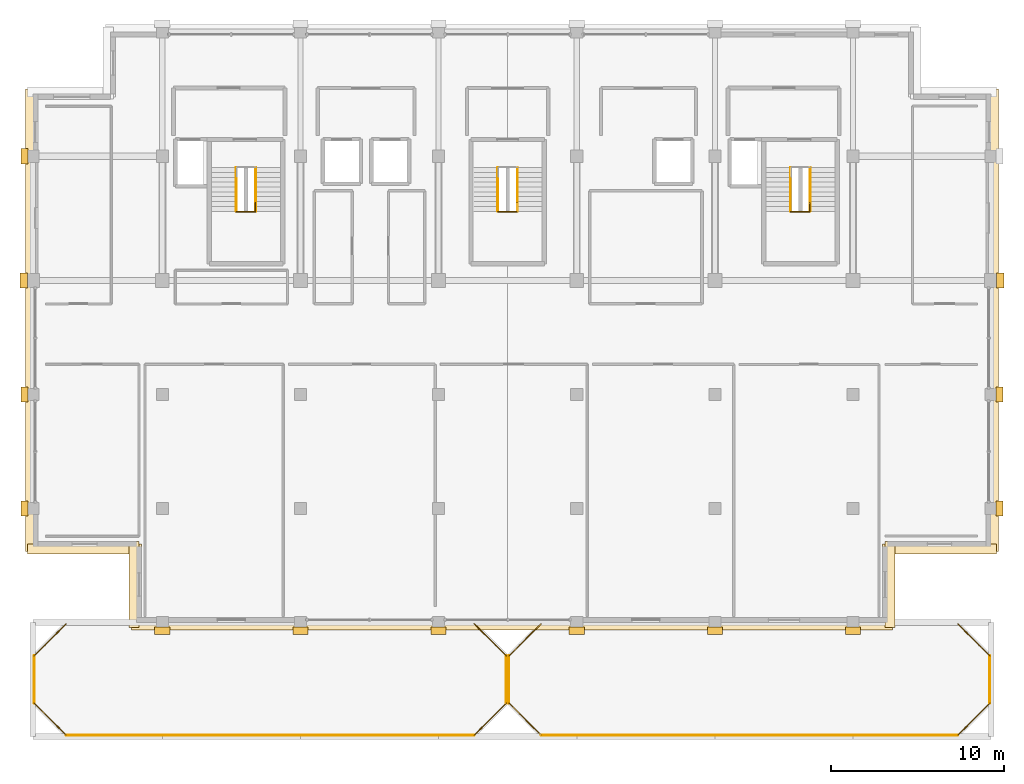
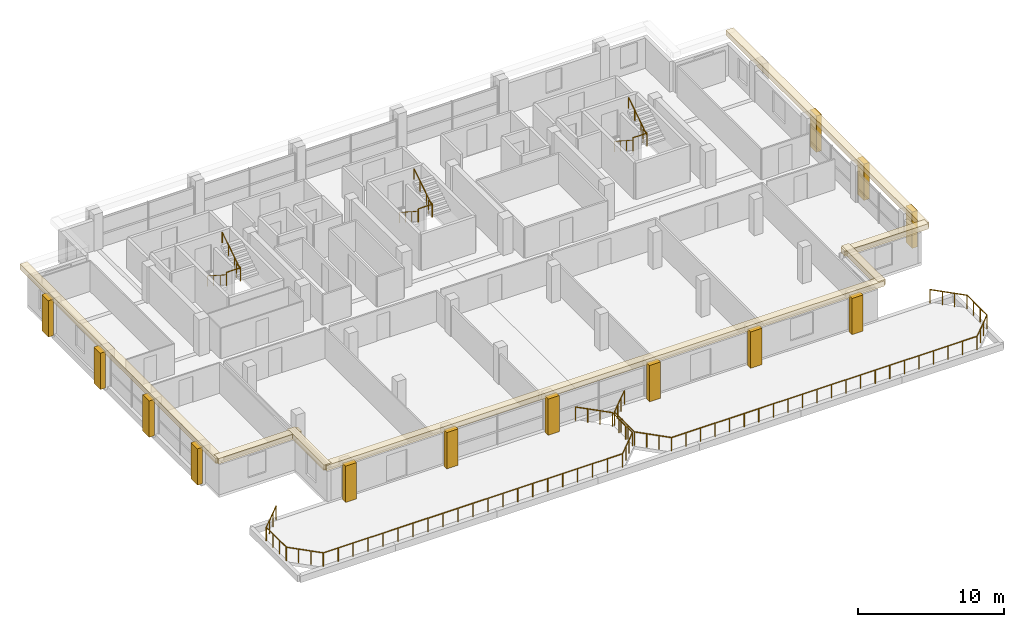
# One storey, part 20 of 21: 23 railings, 20 coverings.
"""IFC4 building model written with IfcOpenShell, lengths in metres."""

from ifc_helpers import new_model, si_unit, direction, frame, origin, origin_2d, place, context, subcontext, project, spatial, rectangle, circle, extrude, material, layer, layer_set, type_object, element, save


model = new_model("IFC4")

# Units and contexts
model_context = context("Model", 3, precision=1e-05, world=origin(), true_north=direction((0.0, 1.0)))
body_context = subcontext(model_context, "Body", "Model", "MODEL_VIEW")
ifc_project = project(units=[si_unit("LENGTHUNIT", "METRE"), si_unit("AREAUNIT", "SQUARE_METRE"), si_unit("VOLUMEUNIT", "CUBIC_METRE"), si_unit("PLANEANGLEUNIT", "RADIAN"), si_unit("MASSUNIT", "GRAM", prefix="KILO")], contexts=[model_context])

# Site, building, storey
site_placement = place(None, origin())
site = spatial("IfcSite", under=ifc_project, at=site_placement, CompositionType="ELEMENT")
building_placement = place(site_placement, origin())
building = spatial("IfcBuilding", under=site, at=building_placement, Name="Akrevak Sports Hall", CompositionType="ELEMENT")
storey_placement = place(building_placement, frame((0.0, 0.0, 53.550048828125)))
storey = spatial("IfcBuildingStorey", under=building, at=storey_placement, Name="L13", CompositionType="ELEMENT", Elevation=53.550048828125)

# Coverings
ifc_material_1 = material(Name="Limestone Ashlar", Category="stone")
ifc_layer_1 = layer(ifc_material_1, 0.6201171875, Name="Limestone Ashlar")
ifc_layer_set_1 = layer_set([ifc_layer_1], Name="Limestone Ashlar")
covering_type_1 = type_object("IfcCoveringType", Name="ARC-COV-CRN-LIM", PredefinedType="MOLDING", material=ifc_layer_set_1)
covering_1_placement = place(storey_placement, frame((80.25, 35.27001953125, 2.949951171875), z_axis=(0.0, 0.0, 1.0), x_axis=(1.0, 0.0, 0.0)))
element("IfcCovering", 1, at=covering_1_placement, inside=storey, type_object=covering_type_1, Name="Upper Tower Setback Stone Cornice L13-SET-01", PredefinedType="MOLDING", context=body_context, shape_type="SweptSolid", body=[
    extrude(rectangle(XDim=44.087890625, YDim=0.580078125, at=origin_2d()), origin(), (0.0, 0.0, 1.0), 0.43994140625),
])
covering_2_placement = place(storey_placement, frame((102.1298828125, 37.60009765625, 2.949951171875), z_axis=(0.0, 0.0, 1.0), x_axis=(0.0, 1.0, 0.0)))
element("IfcCovering", 2, at=covering_2_placement, inside=storey, type_object=covering_type_1, Name="Upper Tower Setback Stone Cornice L13-SET-02", PredefinedType="MOLDING", context=body_context, shape_type="SweptSolid", body=[
    extrude(rectangle(XDim=4.988037109375, YDim=0.580078125, at=origin_2d()), origin(), (0.0, 0.0, 1.0), 0.43994140625),
])
covering_3_placement = place(storey_placement, frame((105.0, 39.669921875, 2.949951171875), z_axis=(0.0, 0.0, 1.0), x_axis=(1.0, 0.0, 0.0)))
element("IfcCovering", 3, at=covering_3_placement, inside=storey, type_object=covering_type_1, Name="Upper Tower Setback Stone Cornice L13-SET-03", PredefinedType="MOLDING", context=body_context, shape_type="SweptSolid", body=[
    extrude(rectangle(XDim=6.587890625, YDim=0.580078125, at=origin_2d()), origin(), (0.0, 0.0, 1.0), 0.43994140625),
])
for number, where, z_axis, x_axis, name in (
    (4, (108.1298828125, 52.89990234375, 2.949951171875), (0.0, 0.0, 1.0), (0.0, 1.0, 0.0), "Upper Tower Setback Stone Cornice L13-SET-04"),
    (5, (52.3701171875, 52.89990234375, 2.949951171875), (0.0, 0.0, 1.0), (0.0, -1.0, 0.0), "Upper Tower Setback Stone Cornice L13-SET-10"),
):
    element("IfcCovering", number, at=place(storey_placement, frame(where, z_axis=z_axis, x_axis=x_axis)), inside=storey, type_object=covering_type_1, Name=name, PredefinedType="MOLDING", context=body_context, shape_type="SweptSolid", body=[
        extrude(rectangle(XDim=26.7880859375, YDim=0.580078125, at=origin_2d()), origin(), (0.0, 0.0, 1.0), 0.43994140625),
    ])
covering_4_placement = place(storey_placement, frame((55.5, 39.669921875, 2.949951171875), z_axis=(0.0, 0.0, 1.0), x_axis=(1.0, 0.0, 0.0)))
element("IfcCovering", 6, at=covering_4_placement, inside=storey, type_object=covering_type_1, Name="Upper Tower Setback Stone Cornice L13-SET-11", PredefinedType="MOLDING", context=body_context, shape_type="SweptSolid", body=[
    extrude(rectangle(XDim=6.587890625, YDim=0.580078125, at=origin_2d()), origin(), (0.0, 0.0, 1.0), 0.43994140625),
])
covering_5_placement = place(storey_placement, frame((58.3701171875, 37.60009765625, 2.949951171875), z_axis=(0.0, 0.0, 1.0), x_axis=(0.0, -1.0, 0.0)))
element("IfcCovering", 7, at=covering_5_placement, inside=storey, type_object=covering_type_1, Name="Upper Tower Setback Stone Cornice L13-SET-12", PredefinedType="MOLDING", context=body_context, shape_type="SweptSolid", body=[
    extrude(rectangle(XDim=4.988037109375, YDim=0.580078125, at=origin_2d()), origin(), (0.0, 0.0, 1.0), 0.43994140625),
])
ifc_layer_2 = layer(ifc_material_1, 0.47998046875, Name="Limestone Ashlar")
ifc_layer_set_2 = layer_set([ifc_layer_2], Name="Limestone Ashlar")
covering_type_2 = type_object("IfcCoveringType", Name="ARC-COV-PIL-LIM", PredefinedType="CLADDING", material=ifc_layer_set_2)
for number, where, z_axis, x_axis, name in (
    (8, (60.0, 34.919921875, 0.0), (0.0, 0.0, 1.0), (1.0, 0.0, 0.0), "Giant-Order Limestone Pilaster L13-01-01"),
    (9, (68.0, 34.919921875, 0.0), (0.0, 0.0, 1.0), (1.0, 0.0, 0.0), "Giant-Order Limestone Pilaster L13-01-02"),
    (10, (76.0, 34.919921875, 0.0), (0.0, 0.0, 1.0), (1.0, 0.0, 0.0), "Giant-Order Limestone Pilaster L13-01-03"),
    (11, (84.0, 34.919921875, 0.0), (0.0, 0.0, 1.0), (1.0, 0.0, 0.0), "Giant-Order Limestone Pilaster L13-01-04"),
    (12, (92.0, 34.919921875, 0.0), (0.0, 0.0, 1.0), (1.0, 0.0, 0.0), "Giant-Order Limestone Pilaster L13-01-05"),
    (13, (100.0, 34.919921875, 0.0), (0.0, 0.0, 1.0), (1.0, 0.0, 0.0), "Giant-Order Limestone Pilaster L13-01-06"),
    (14, (108.47998046875, 42.0, 0.0), (0.0, 0.0, 1.0), (0.0, 1.0, 0.0), "Giant-Order Limestone Pilaster L13-04-07"),
    (15, (108.47998046875, 48.60009765625, 0.0), (0.0, 0.0, 1.0), (0.0, 1.0, 0.0), "Giant-Order Limestone Pilaster L13-04-08"),
    (16, (108.530029296875, 55.199951171875, 0.0), (0.0, 0.0, 1.0), (0.0, 1.0, 0.0), "Giant-Order Limestone Pilaster L13-04-09"),
    (17, (52.02001953125, 42.0, 0.0), (0.0, 0.0, 1.0), (0.0, -1.0, 0.0), "Giant-Order Limestone Pilaster L13-10-17"),
    (18, (52.02001953125, 48.60009765625, 0.0), (0.0, 0.0, 1.0), (0.0, -1.0, 0.0), "Giant-Order Limestone Pilaster L13-10-18"),
    (19, (51.969970703125, 55.199951171875, 0.0), (0.0, 0.0, 1.0), (0.0, -1.0, 0.0), "Giant-Order Limestone Pilaster L13-10-19"),
    (20, (52.02001953125, 62.39990234375, 0.0), (0.0, 0.0, 1.0), (0.0, -1.0, 0.0), "Giant-Order Limestone Pilaster L13-10-20"),
):
    element("IfcCovering", number, at=place(storey_placement, frame(where, z_axis=z_axis, x_axis=x_axis)), inside=storey, type_object=covering_type_2, Name=name, PredefinedType="CLADDING", context=body_context, shape_type="SweptSolid", body=[
        extrude(rectangle(XDim=0.8798828125, YDim=0.419921875, at=origin_2d()), origin(), (0.0, 0.0, 1.0), 3.030029296875),
    ])

# Railings
ifc_material_2 = material(Name="Limestone Ashlar & Bronze Cap", Category="stone")
ifc_layer_3 = layer(ifc_material_2, 0.1201171875, Name="Limestone Ashlar & Bronze Cap")
ifc_layer_set_3 = layer_set([ifc_layer_3], Name="Limestone Ashlar & Bronze Cap")
railing_type_1 = type_object("IfcRailingType", Name="ARC-RL-BAL-1150", PredefinedType="BALUSTRADE", material=ifc_layer_set_3)
railing_1_placement = place(storey_placement, frame((54.429931640625, 28.8798828125, 0.0)))
element("IfcRailing", 21, at=railing_1_placement, inside=storey, type_object=railing_type_1, Name="Terrace Perimeter Balustrade L13-1.1", PredefinedType="BALUSTRADE", context=body_context, shape_type="SweptSolid", body=[
    extrude(circle(Radius=0.02392578125, at=origin_2d()), frame((0.0, 0.0, 1.1259765625), z_axis=(1.0, 0.0, 0.0), x_axis=(0.0, 1.0, 0.0)), (0.0, 0.0, 1.0), 23.64013671875),
    extrude(circle(Radius=0.02099609375, at=origin_2d()), origin(), (0.0, 0.0, 1.0), 1.101806640625),
    extrude(circle(Radius=0.02099609375, at=origin_2d()), frame((1.18212890625, 0.0, 0.0)), (0.0, 0.0, 1.0), 1.101806640625),
    extrude(circle(Radius=0.02099609375, at=origin_2d()), frame((2.364013671875, 0.0, 0.0)), (0.0, 0.0, 1.0), 1.101806640625),
    extrude(circle(Radius=0.02099609375, at=origin_2d()), frame((3.5458984375, 0.0, 0.0)), (0.0, 0.0, 1.0), 1.101806640625),
    extrude(circle(Radius=0.02099609375, at=origin_2d()), frame((4.72802734375, 0.0, 0.0)), (0.0, 0.0, 1.0), 1.101806640625),
    extrude(circle(Radius=0.02099609375, at=origin_2d()), frame((5.91015625, 0.0, 0.0)), (0.0, 0.0, 1.0), 1.101806640625),
    extrude(circle(Radius=0.02099609375, at=origin_2d()), frame((7.092041015625, 0.0, 0.0)), (0.0, 0.0, 1.0), 1.101806640625),
    extrude(circle(Radius=0.02099609375, at=origin_2d()), frame((8.27392578125, 0.0, 0.0)), (0.0, 0.0, 1.0), 1.101806640625),
    extrude(circle(Radius=0.02099609375, at=origin_2d()), frame((9.4560546875, 0.0, 0.0)), (0.0, 0.0, 1.0), 1.101806640625),
    extrude(circle(Radius=0.02099609375, at=origin_2d()), frame((10.63818359375, 0.0, 0.0)), (0.0, 0.0, 1.0), 1.101806640625),
    extrude(circle(Radius=0.02099609375, at=origin_2d()), frame((11.820068359375, 0.0, 0.0)), (0.0, 0.0, 1.0), 1.101806640625),
    extrude(circle(Radius=0.02099609375, at=origin_2d()), frame((13.002197265625, 0.0, 0.0)), (0.0, 0.0, 1.0), 1.101806640625),
    extrude(circle(Radius=0.02099609375, at=origin_2d()), frame((14.18408203125, 0.0, 0.0)), (0.0, 0.0, 1.0), 1.101806640625),
    extrude(circle(Radius=0.02099609375, at=origin_2d()), frame((15.3662109375, 0.0, 0.0)), (0.0, 0.0, 1.0), 1.101806640625),
    extrude(circle(Radius=0.02099609375, at=origin_2d()), frame((16.548095703125, 0.0, 0.0)), (0.0, 0.0, 1.0), 1.101806640625),
    extrude(circle(Radius=0.02099609375, at=origin_2d()), frame((17.72998046875, 0.0, 0.0)), (0.0, 0.0, 1.0), 1.101806640625),
    extrude(circle(Radius=0.02099609375, at=origin_2d()), frame((18.912109375, 0.0, 0.0)), (0.0, 0.0, 1.0), 1.101806640625),
    extrude(circle(Radius=0.02099609375, at=origin_2d()), frame((20.09423828125, 0.0, 0.0)), (0.0, 0.0, 1.0), 1.101806640625),
    extrude(circle(Radius=0.02099609375, at=origin_2d()), frame((21.276123046875, 0.0, 0.0)), (0.0, 0.0, 1.0), 1.101806640625),
    extrude(circle(Radius=0.02099609375, at=origin_2d()), frame((22.4580078125, 0.0, 0.0)), (0.0, 0.0, 1.0), 1.101806640625),
    extrude(circle(Radius=0.02099609375, at=origin_2d()), frame((23.64013671875, 0.0, 0.0)), (0.0, 0.0, 1.0), 1.101806640625),
])
railing_2_placement = place(storey_placement, frame((78.070068359375, 28.8798828125, 0.0)))
element("IfcRailing", 22, at=railing_2_placement, inside=storey, type_object=railing_type_1, Name="Terrace Perimeter Balustrade L13-1.2", PredefinedType="BALUSTRADE", context=body_context, shape_type="SweptSolid", body=[
    extrude(circle(Radius=0.02392578125, at=origin_2d()), frame((0.0, 0.0, 1.1259765625), z_axis=(0.707060121331, 0.707153437963, 0.0), x_axis=(-0.707153437963, 0.707060121331, 0.0)), (0.0, 0.0, 1.0), 2.6162109375),
    extrude(circle(Radius=0.02099609375, at=origin_2d()), origin(), (0.0, 0.0, 1.0), 1.101806640625),
    extrude(circle(Radius=0.02099609375, at=origin_2d()), frame((0.61669921875, 0.61669921875, 0.0)), (0.0, 0.0, 1.0), 1.101806640625),
    extrude(circle(Radius=0.02099609375, at=origin_2d()), frame((1.233154296875, 1.2333984375, 0.0)), (0.0, 0.0, 1.0), 1.101806640625),
    extrude(circle(Radius=0.02099609375, at=origin_2d()), frame((1.849853515625, 1.85009765625, 0.0)), (0.0, 0.0, 1.0), 1.101806640625),
])
railing_3_placement = place(storey_placement, frame((79.919921875, 30.72998046875, 0.0)))
element("IfcRailing", 23, at=railing_3_placement, inside=storey, type_object=railing_type_1, Name="Terrace Perimeter Balustrade L13-1.3", PredefinedType="BALUSTRADE", context=body_context, shape_type="SweptSolid", body=[
    extrude(circle(Radius=0.02392578125, at=origin_2d()), frame((0.0, 0.0, 1.1259765625), z_axis=(0.0, 1.0, 0.0), x_axis=(-1.0, 0.0, 0.0)), (0.0, 0.0, 1.0), 2.739990234375),
    extrude(circle(Radius=0.02099609375, at=origin_2d()), origin(), (0.0, 0.0, 1.0), 1.101806640625),
    extrude(circle(Radius=0.02099609375, at=origin_2d()), frame((0.0, 0.913330078125, 0.0)), (0.0, 0.0, 1.0), 1.101806640625),
    extrude(circle(Radius=0.02099609375, at=origin_2d()), frame((0.0, 1.82666015625, 0.0)), (0.0, 0.0, 1.0), 1.101806640625),
    extrude(circle(Radius=0.02099609375, at=origin_2d()), frame((0.0, 2.739990234375, 0.0)), (0.0, 0.0, 1.0), 1.101806640625),
])
railing_4_placement = place(storey_placement, frame((79.919921875, 33.469970703125, 0.0)))
element("IfcRailing", 24, at=railing_4_placement, inside=storey, type_object=railing_type_1, Name="Terrace Perimeter Balustrade L13-1.4", PredefinedType="BALUSTRADE", context=body_context, shape_type="SweptSolid", body=[
    extrude(circle(Radius=0.02392578125, at=origin_2d()), frame((0.0, 0.0, 1.1259765625), z_axis=(-0.707060121331, 0.707153437963, 0.0), x_axis=(-0.707153437963, -0.707060121331, 0.0)), (0.0, 0.0, 1.0), 2.6162109375),
    extrude(circle(Radius=0.02099609375, at=origin_2d()), origin(), (0.0, 0.0, 1.0), 1.101806640625),
    extrude(circle(Radius=0.02099609375, at=origin_2d()), frame((-0.61669921875, 0.61669921875, 0.0)), (0.0, 0.0, 1.0), 1.101806640625),
    extrude(circle(Radius=0.02099609375, at=origin_2d()), frame((-1.233154296875, 1.2333984375, 0.0)), (0.0, 0.0, 1.0), 1.101806640625),
    extrude(circle(Radius=0.02099609375, at=origin_2d()), frame((-1.849853515625, 1.85009765625, 0.0)), (0.0, 0.0, 1.0), 1.101806640625),
])
railing_5_placement = place(storey_placement, frame((54.429931640625, 35.320068359375, 0.0)))
element("IfcRailing", 25, at=railing_5_placement, inside=storey, type_object=railing_type_1, Name="Terrace Perimeter Balustrade L13-1.6", PredefinedType="BALUSTRADE", context=body_context, shape_type="SweptSolid", body=[
    extrude(circle(Radius=0.02392578125, at=origin_2d()), frame((0.0, 0.0, 1.1259765625), z_axis=(-0.707060121331, -0.707153437963, 0.0), x_axis=(0.707153437963, -0.707060121331, 0.0)), (0.0, 0.0, 1.0), 2.6162109375),
    extrude(circle(Radius=0.02099609375, at=origin_2d()), origin(), (0.0, 0.0, 1.0), 1.101806640625),
    extrude(circle(Radius=0.02099609375, at=origin_2d()), frame((-0.61669921875, -0.61669921875, 0.0)), (0.0, 0.0, 1.0), 1.101806640625),
    extrude(circle(Radius=0.02099609375, at=origin_2d()), frame((-1.233154296875, -1.2333984375, 0.0)), (0.0, 0.0, 1.0), 1.101806640625),
    extrude(circle(Radius=0.02099609375, at=origin_2d()), frame((-1.849853515625, -1.85009765625, 0.0)), (0.0, 0.0, 1.0), 1.101806640625),
])
railing_6_placement = place(storey_placement, frame((52.580078125, 33.469970703125, 0.0)))
element("IfcRailing", 26, at=railing_6_placement, inside=storey, type_object=railing_type_1, Name="Terrace Perimeter Balustrade L13-1.7", PredefinedType="BALUSTRADE", context=body_context, shape_type="SweptSolid", body=[
    extrude(circle(Radius=0.02392578125, at=origin_2d()), frame((0.0, 0.0, 1.1259765625), z_axis=(0.0, -1.0, 0.0), x_axis=(1.0, 0.0, 0.0)), (0.0, 0.0, 1.0), 2.739990234375),
    extrude(circle(Radius=0.02099609375, at=origin_2d()), origin(), (0.0, 0.0, 1.0), 1.101806640625),
    extrude(circle(Radius=0.02099609375, at=origin_2d()), frame((0.0, -0.913330078125, 0.0)), (0.0, 0.0, 1.0), 1.101806640625),
    extrude(circle(Radius=0.02099609375, at=origin_2d()), frame((0.0, -1.82666015625, 0.0)), (0.0, 0.0, 1.0), 1.101806640625),
    extrude(circle(Radius=0.02099609375, at=origin_2d()), frame((0.0, -2.739990234375, 0.0)), (0.0, 0.0, 1.0), 1.101806640625),
])
railing_7_placement = place(storey_placement, frame((52.580078125, 30.72998046875, 0.0)))
element("IfcRailing", 27, at=railing_7_placement, inside=storey, type_object=railing_type_1, Name="Terrace Perimeter Balustrade L13-1.8", PredefinedType="BALUSTRADE", context=body_context, shape_type="SweptSolid", body=[
    extrude(circle(Radius=0.02392578125, at=origin_2d()), frame((0.0, 0.0, 1.1259765625), z_axis=(0.707060121331, -0.707153437963, 0.0), x_axis=(0.707153437963, 0.707060121331, 0.0)), (0.0, 0.0, 1.0), 2.6162109375),
    extrude(circle(Radius=0.02099609375, at=origin_2d()), origin(), (0.0, 0.0, 1.0), 1.101806640625),
    extrude(circle(Radius=0.02099609375, at=origin_2d()), frame((0.61669921875, -0.61669921875, 0.0)), (0.0, 0.0, 1.0), 1.101806640625),
    extrude(circle(Radius=0.02099609375, at=origin_2d()), frame((1.233154296875, -1.2333984375, 0.0)), (0.0, 0.0, 1.0), 1.101806640625),
    extrude(circle(Radius=0.02099609375, at=origin_2d()), frame((1.849853515625, -1.85009765625, 0.0)), (0.0, 0.0, 1.0), 1.101806640625),
])
railing_8_placement = place(storey_placement, frame((81.929931640625, 28.8798828125, 0.0)))
element("IfcRailing", 28, at=railing_8_placement, inside=storey, type_object=railing_type_1, Name="Terrace Perimeter Balustrade L13-2.1", PredefinedType="BALUSTRADE", context=body_context, shape_type="SweptSolid", body=[
    extrude(circle(Radius=0.02392578125, at=origin_2d()), frame((0.0, 0.0, 1.1259765625), z_axis=(1.0, 0.0, 0.0), x_axis=(0.0, 1.0, 0.0)), (0.0, 0.0, 1.0), 24.14013671875),
    extrude(circle(Radius=0.02099609375, at=origin_2d()), origin(), (0.0, 0.0, 1.0), 1.101806640625),
    extrude(circle(Radius=0.02099609375, at=origin_2d()), frame((1.1494140625, 0.0, 0.0)), (0.0, 0.0, 1.0), 1.101806640625),
    extrude(circle(Radius=0.02099609375, at=origin_2d()), frame((2.299072265625, 0.0, 0.0)), (0.0, 0.0, 1.0), 1.101806640625),
    extrude(circle(Radius=0.02099609375, at=origin_2d()), frame((3.448486328125, 0.0, 0.0)), (0.0, 0.0, 1.0), 1.101806640625),
    extrude(circle(Radius=0.02099609375, at=origin_2d()), frame((4.59814453125, 0.0, 0.0)), (0.0, 0.0, 1.0), 1.101806640625),
    extrude(circle(Radius=0.02099609375, at=origin_2d()), frame((5.74755859375, 0.0, 0.0)), (0.0, 0.0, 1.0), 1.101806640625),
    extrude(circle(Radius=0.02099609375, at=origin_2d()), frame((6.897216796875, 0.0, 0.0)), (0.0, 0.0, 1.0), 1.101806640625),
    extrude(circle(Radius=0.02099609375, at=origin_2d()), frame((8.046630859375, 0.0, 0.0)), (0.0, 0.0, 1.0), 1.101806640625),
    extrude(circle(Radius=0.02099609375, at=origin_2d()), frame((9.1962890625, 0.0, 0.0)), (0.0, 0.0, 1.0), 1.101806640625),
    extrude(circle(Radius=0.02099609375, at=origin_2d()), frame((10.345703125, 0.0, 0.0)), (0.0, 0.0, 1.0), 1.101806640625),
    extrude(circle(Radius=0.02099609375, at=origin_2d()), frame((11.495361328125, 0.0, 0.0)), (0.0, 0.0, 1.0), 1.101806640625),
    extrude(circle(Radius=0.02099609375, at=origin_2d()), frame((12.644775390625, 0.0, 0.0)), (0.0, 0.0, 1.0), 1.101806640625),
    extrude(circle(Radius=0.02099609375, at=origin_2d()), frame((13.79443359375, 0.0, 0.0)), (0.0, 0.0, 1.0), 1.101806640625),
    extrude(circle(Radius=0.02099609375, at=origin_2d()), frame((14.94384765625, 0.0, 0.0)), (0.0, 0.0, 1.0), 1.101806640625),
    extrude(circle(Radius=0.02099609375, at=origin_2d()), frame((16.093505859375, 0.0, 0.0)), (0.0, 0.0, 1.0), 1.101806640625),
    extrude(circle(Radius=0.02099609375, at=origin_2d()), frame((17.242919921875, 0.0, 0.0)), (0.0, 0.0, 1.0), 1.101806640625),
    extrude(circle(Radius=0.02099609375, at=origin_2d()), frame((18.392578125, 0.0, 0.0)), (0.0, 0.0, 1.0), 1.101806640625),
    extrude(circle(Radius=0.02099609375, at=origin_2d()), frame((19.5419921875, 0.0, 0.0)), (0.0, 0.0, 1.0), 1.101806640625),
    extrude(circle(Radius=0.02099609375, at=origin_2d()), frame((20.691650390625, 0.0, 0.0)), (0.0, 0.0, 1.0), 1.101806640625),
    extrude(circle(Radius=0.02099609375, at=origin_2d()), frame((21.841064453125, 0.0, 0.0)), (0.0, 0.0, 1.0), 1.101806640625),
    extrude(circle(Radius=0.02099609375, at=origin_2d()), frame((22.99072265625, 0.0, 0.0)), (0.0, 0.0, 1.0), 1.101806640625),
    extrude(circle(Radius=0.02099609375, at=origin_2d()), frame((24.14013671875, 0.0, 0.0)), (0.0, 0.0, 1.0), 1.101806640625),
])
railing_9_placement = place(storey_placement, frame((106.070068359375, 28.8798828125, 0.0)))
element("IfcRailing", 29, at=railing_9_placement, inside=storey, type_object=railing_type_1, Name="Terrace Perimeter Balustrade L13-2.2", PredefinedType="BALUSTRADE", context=body_context, shape_type="SweptSolid", body=[
    extrude(circle(Radius=0.02392578125, at=origin_2d()), frame((0.0, 0.0, 1.1259765625), z_axis=(0.707060121331, 0.707153437963, 0.0), x_axis=(-0.707153437963, 0.707060121331, 0.0)), (0.0, 0.0, 1.0), 2.6162109375),
    extrude(circle(Radius=0.02099609375, at=origin_2d()), origin(), (0.0, 0.0, 1.0), 1.101806640625),
    extrude(circle(Radius=0.02099609375, at=origin_2d()), frame((0.61669921875, 0.61669921875, 0.0)), (0.0, 0.0, 1.0), 1.101806640625),
    extrude(circle(Radius=0.02099609375, at=origin_2d()), frame((1.233154296875, 1.2333984375, 0.0)), (0.0, 0.0, 1.0), 1.101806640625),
    extrude(circle(Radius=0.02099609375, at=origin_2d()), frame((1.849853515625, 1.85009765625, 0.0)), (0.0, 0.0, 1.0), 1.101806640625),
])
railing_10_placement = place(storey_placement, frame((107.919921875, 30.72998046875, 0.0)))
element("IfcRailing", 30, at=railing_10_placement, inside=storey, type_object=railing_type_1, Name="Terrace Perimeter Balustrade L13-2.3", PredefinedType="BALUSTRADE", context=body_context, shape_type="SweptSolid", body=[
    extrude(circle(Radius=0.02392578125, at=origin_2d()), frame((0.0, 0.0, 1.1259765625), z_axis=(0.0, 1.0, 0.0), x_axis=(-1.0, 0.0, 0.0)), (0.0, 0.0, 1.0), 2.739990234375),
    extrude(circle(Radius=0.02099609375, at=origin_2d()), origin(), (0.0, 0.0, 1.0), 1.101806640625),
    extrude(circle(Radius=0.02099609375, at=origin_2d()), frame((0.0, 0.913330078125, 0.0)), (0.0, 0.0, 1.0), 1.101806640625),
    extrude(circle(Radius=0.02099609375, at=origin_2d()), frame((0.0, 1.82666015625, 0.0)), (0.0, 0.0, 1.0), 1.101806640625),
    extrude(circle(Radius=0.02099609375, at=origin_2d()), frame((0.0, 2.739990234375, 0.0)), (0.0, 0.0, 1.0), 1.101806640625),
])
railing_11_placement = place(storey_placement, frame((107.919921875, 33.469970703125, 0.0)))
element("IfcRailing", 31, at=railing_11_placement, inside=storey, type_object=railing_type_1, Name="Terrace Perimeter Balustrade L13-2.4", PredefinedType="BALUSTRADE", context=body_context, shape_type="SweptSolid", body=[
    extrude(circle(Radius=0.02392578125, at=origin_2d()), frame((0.0, 0.0, 1.1259765625), z_axis=(-0.707060121331, 0.707153437963, 0.0), x_axis=(-0.707153437963, -0.707060121331, 0.0)), (0.0, 0.0, 1.0), 2.6162109375),
    extrude(circle(Radius=0.02099609375, at=origin_2d()), origin(), (0.0, 0.0, 1.0), 1.101806640625),
    extrude(circle(Radius=0.02099609375, at=origin_2d()), frame((-0.61669921875, 0.61669921875, 0.0)), (0.0, 0.0, 1.0), 1.101806640625),
    extrude(circle(Radius=0.02099609375, at=origin_2d()), frame((-1.233154296875, 1.2333984375, 0.0)), (0.0, 0.0, 1.0), 1.101806640625),
    extrude(circle(Radius=0.02099609375, at=origin_2d()), frame((-1.849853515625, 1.85009765625, 0.0)), (0.0, 0.0, 1.0), 1.101806640625),
])
railing_12_placement = place(storey_placement, frame((81.929931640625, 35.320068359375, 0.0)))
element("IfcRailing", 32, at=railing_12_placement, inside=storey, type_object=railing_type_1, Name="Terrace Perimeter Balustrade L13-2.6", PredefinedType="BALUSTRADE", context=body_context, shape_type="SweptSolid", body=[
    extrude(circle(Radius=0.02392578125, at=origin_2d()), frame((0.0, 0.0, 1.1259765625), z_axis=(-0.707060121331, -0.707153437963, 0.0), x_axis=(0.707153437963, -0.707060121331, 0.0)), (0.0, 0.0, 1.0), 2.6162109375),
    extrude(circle(Radius=0.02099609375, at=origin_2d()), origin(), (0.0, 0.0, 1.0), 1.101806640625),
    extrude(circle(Radius=0.02099609375, at=origin_2d()), frame((-0.61669921875, -0.61669921875, 0.0)), (0.0, 0.0, 1.0), 1.101806640625),
    extrude(circle(Radius=0.02099609375, at=origin_2d()), frame((-1.233154296875, -1.2333984375, 0.0)), (0.0, 0.0, 1.0), 1.101806640625),
    extrude(circle(Radius=0.02099609375, at=origin_2d()), frame((-1.849853515625, -1.85009765625, 0.0)), (0.0, 0.0, 1.0), 1.101806640625),
])
railing_13_placement = place(storey_placement, frame((80.080078125, 33.469970703125, 0.0)))
element("IfcRailing", 33, at=railing_13_placement, inside=storey, type_object=railing_type_1, Name="Terrace Perimeter Balustrade L13-2.7", PredefinedType="BALUSTRADE", context=body_context, shape_type="SweptSolid", body=[
    extrude(circle(Radius=0.02392578125, at=origin_2d()), frame((0.0, 0.0, 1.1259765625), z_axis=(0.0, -1.0, 0.0), x_axis=(1.0, 0.0, 0.0)), (0.0, 0.0, 1.0), 2.739990234375),
    extrude(circle(Radius=0.02099609375, at=origin_2d()), origin(), (0.0, 0.0, 1.0), 1.101806640625),
    extrude(circle(Radius=0.02099609375, at=origin_2d()), frame((0.0, -0.913330078125, 0.0)), (0.0, 0.0, 1.0), 1.101806640625),
    extrude(circle(Radius=0.02099609375, at=origin_2d()), frame((0.0, -1.82666015625, 0.0)), (0.0, 0.0, 1.0), 1.101806640625),
    extrude(circle(Radius=0.02099609375, at=origin_2d()), frame((0.0, -2.739990234375, 0.0)), (0.0, 0.0, 1.0), 1.101806640625),
])
railing_14_placement = place(storey_placement, frame((80.080078125, 30.72998046875, 0.0)))
element("IfcRailing", 34, at=railing_14_placement, inside=storey, type_object=railing_type_1, Name="Terrace Perimeter Balustrade L13-2.8", PredefinedType="BALUSTRADE", context=body_context, shape_type="SweptSolid", body=[
    extrude(circle(Radius=0.02392578125, at=origin_2d()), frame((0.0, 0.0, 1.1259765625), z_axis=(0.707060121331, -0.707153437963, 0.0), x_axis=(0.707153437963, 0.707060121331, 0.0)), (0.0, 0.0, 1.0), 2.6162109375),
    extrude(circle(Radius=0.02099609375, at=origin_2d()), origin(), (0.0, 0.0, 1.0), 1.101806640625),
    extrude(circle(Radius=0.02099609375, at=origin_2d()), frame((0.61669921875, -0.61669921875, 0.0)), (0.0, 0.0, 1.0), 1.101806640625),
    extrude(circle(Radius=0.02099609375, at=origin_2d()), frame((1.233154296875, -1.2333984375, 0.0)), (0.0, 0.0, 1.0), 1.101806640625),
    extrude(circle(Radius=0.02099609375, at=origin_2d()), frame((1.849853515625, -1.85009765625, 0.0)), (0.0, 0.0, 1.0), 1.101806640625),
])
ifc_material_3 = material(Name="Painted Architectural Balustrade Steel", Category="steel")
ifc_layer_4 = layer(ifc_material_3, 0.06005859375, Name="Painted Architectural Balustrade Steel")
ifc_layer_set_4 = layer_set([ifc_layer_4], Name="Painted Architectural Balustrade Steel")
railing_type_2 = type_object("IfcRailingType", Name="ARC-RL-GRD-1120", PredefinedType="GUARDRAIL", material=ifc_layer_set_4)
railing_15_placement = place(storey_placement, frame((64.280029296875, 59.18505859375, 1.625)))
element("IfcRailing", 35, at=railing_15_placement, inside=storey, type_object=railing_type_2, Name="Stair Landing Well Guard ST1-L13-1", PredefinedType="GUARDRAIL", context=body_context, shape_type="SweptSolid", body=[
    extrude(circle(Radius=0.02392578125, at=origin_2d()), frame((0.0, 0.0, 1.09619140625), z_axis=(1.0, 0.0, 0.0), x_axis=(0.0, 1.0, 0.0)), (0.0, 0.0, 1.0), 1.10986328125),
    extrude(circle(Radius=0.02392578125, at=origin_2d()), frame((1.10986328125, 0.0, 1.09619140625), z_axis=(0.0, 1.0, 0.0), x_axis=(-1.0, 0.0, 0.0)), (0.0, 0.0, 1.0), 0.52001953125),
    extrude(circle(Radius=0.02099609375, at=origin_2d()), origin(), (0.0, 0.0, 1.0), 1.072021484375),
    extrude(circle(Radius=0.02099609375, at=origin_2d()), frame((1.10986328125, 0.0, 0.0)), (0.0, 0.0, 1.0), 1.072021484375),
    extrude(circle(Radius=0.02099609375, at=origin_2d()), frame((1.10986328125, 0.52001953125, 0.0)), (0.0, 0.0, 1.0), 1.072021484375),
])
for number, where, name in (
    (36, (96.3798828125, 59.18505859375, 1.625), "Stair Landing Well Guard ST2-L13-1"),
    (37, (79.429931640625, 59.18505859375, 1.625), "Stair Landing Well Guard ST3-L13-1"),
):
    element("IfcRailing", number, at=place(storey_placement, frame(where)), inside=storey, type_object=railing_type_2, Name=name, PredefinedType="GUARDRAIL", context=body_context, shape_type="SweptSolid", body=[
        extrude(circle(Radius=0.02392578125, at=origin_2d()), frame((0.0, 0.0, 1.09619140625), z_axis=(1.0, 0.0, 0.0), x_axis=(0.0, 1.0, 0.0)), (0.0, 0.0, 1.0), 1.110107421875),
        extrude(circle(Radius=0.02392578125, at=origin_2d()), frame((1.110107421875, 0.0, 1.09619140625), z_axis=(0.0, 1.0, 0.0), x_axis=(-1.0, 0.0, 0.0)), (0.0, 0.0, 1.0), 0.52001953125),
        extrude(circle(Radius=0.02099609375, at=origin_2d()), origin(), (0.0, 0.0, 1.0), 1.072021484375),
        extrude(circle(Radius=0.02099609375, at=origin_2d()), frame((1.110107421875, 0.0, 0.0)), (0.0, 0.0, 1.0), 1.072021484375),
        extrude(circle(Radius=0.02099609375, at=origin_2d()), frame((1.110107421875, 0.52001953125, 0.0)), (0.0, 0.0, 1.0), 1.072021484375),
    ])
ifc_material_4 = material(Name="Brushed Stainless Steel 304", Category="steel")
ifc_layer_5 = layer(ifc_material_4, 0.050048828125, Name="Brushed Stainless Steel 304")
ifc_layer_set_5 = layer_set([ifc_layer_5], Name="Brushed Stainless Steel 304")
railing_type_3 = type_object("IfcRailingType", Name="ARC-RL-HND-900", PredefinedType="HANDRAIL", material=ifc_layer_set_5)
railing_16_placement = place(storey_placement, frame((64.280029296875, 61.735107421875, 0.0)))
element("IfcRailing", 38, at=railing_16_placement, inside=storey, type_object=railing_type_3, Name="Stair Handrail ST1-L13-F1", PredefinedType="HANDRAIL", context=body_context, shape_type="SweptSolid", body=[
    extrude(circle(Radius=0.02392578125, at=origin_2d()), frame((0.0, 0.0, 0.8759765625), z_axis=(0.0, -0.840421059866, 0.541933983188), x_axis=(1.0, 0.0, 0.0)), (0.0, 0.0, 1.0), 2.99853515625),
    extrude(circle(Radius=0.02099609375, at=origin_2d()), origin(), (0.0, 0.0, 1.0), 0.851806640625),
    extrude(circle(Radius=0.02099609375, at=origin_2d()), frame((0.0, -0.840087890625, 0.541748046875)), (0.0, 0.0, 1.0), 0.851806640625),
    extrude(circle(Radius=0.02099609375, at=origin_2d()), frame((0.0, -1.679931640625, 1.083251953125)), (0.0, 0.0, 1.0), 0.851806640625),
    extrude(circle(Radius=0.02099609375, at=origin_2d()), frame((0.0, -2.52001953125, 1.625)), (0.0, 0.0, 1.0), 0.851806640625),
])
railing_17_placement = place(storey_placement, frame((65.419921875, 59.215087890625, 1.625)))
element("IfcRailing", 39, at=railing_17_placement, inside=storey, type_object=railing_type_3, Name="Stair Handrail ST1-L13-F2", PredefinedType="HANDRAIL", context=body_context, shape_type="SweptSolid", body=[
    extrude(circle(Radius=0.02392578125, at=origin_2d()), frame((0.0, 0.0, 0.8759765625), z_axis=(0.0, 0.840421059866, 0.541933983188), x_axis=(-1.0, 0.0, 0.0)), (0.0, 0.0, 1.0), 2.99853515625),
    extrude(circle(Radius=0.02099609375, at=origin_2d()), origin(), (0.0, 0.0, 1.0), 0.851806640625),
    extrude(circle(Radius=0.02099609375, at=origin_2d()), frame((0.0, 0.840087890625, 0.541748046875)), (0.0, 0.0, 1.0), 0.851806640625),
    extrude(circle(Radius=0.02099609375, at=origin_2d()), frame((0.0, 1.679931640625, 1.083251953125)), (0.0, 0.0, 1.0), 0.851806640625),
    extrude(circle(Radius=0.02099609375, at=origin_2d()), frame((0.0, 2.52001953125, 1.625)), (0.0, 0.0, 1.0), 0.851806640625),
])
railing_18_placement = place(storey_placement, frame((96.3798828125, 61.735107421875, 0.0)))
element("IfcRailing", 40, at=railing_18_placement, inside=storey, type_object=railing_type_3, Name="Stair Handrail ST2-L13-F1", PredefinedType="HANDRAIL", context=body_context, shape_type="SweptSolid", body=[
    extrude(circle(Radius=0.02392578125, at=origin_2d()), frame((0.0, 0.0, 0.8759765625), z_axis=(0.0, -0.840421059866, 0.541933983188), x_axis=(1.0, 0.0, 0.0)), (0.0, 0.0, 1.0), 2.99853515625),
    extrude(circle(Radius=0.02099609375, at=origin_2d()), origin(), (0.0, 0.0, 1.0), 0.851806640625),
    extrude(circle(Radius=0.02099609375, at=origin_2d()), frame((0.0, -0.840087890625, 0.541748046875)), (0.0, 0.0, 1.0), 0.851806640625),
    extrude(circle(Radius=0.02099609375, at=origin_2d()), frame((0.0, -1.679931640625, 1.083251953125)), (0.0, 0.0, 1.0), 0.851806640625),
    extrude(circle(Radius=0.02099609375, at=origin_2d()), frame((0.0, -2.52001953125, 1.625)), (0.0, 0.0, 1.0), 0.851806640625),
])
railing_19_placement = place(storey_placement, frame((97.52001953125, 59.215087890625, 1.625)))
element("IfcRailing", 41, at=railing_19_placement, inside=storey, type_object=railing_type_3, Name="Stair Handrail ST2-L13-F2", PredefinedType="HANDRAIL", context=body_context, shape_type="SweptSolid", body=[
    extrude(circle(Radius=0.02392578125, at=origin_2d()), frame((0.0, 0.0, 0.8759765625), z_axis=(0.0, 0.840421059866, 0.541933983188), x_axis=(-1.0, 0.0, 0.0)), (0.0, 0.0, 1.0), 2.99853515625),
    extrude(circle(Radius=0.02099609375, at=origin_2d()), origin(), (0.0, 0.0, 1.0), 0.851806640625),
    extrude(circle(Radius=0.02099609375, at=origin_2d()), frame((0.0, 0.840087890625, 0.541748046875)), (0.0, 0.0, 1.0), 0.851806640625),
    extrude(circle(Radius=0.02099609375, at=origin_2d()), frame((0.0, 1.679931640625, 1.083251953125)), (0.0, 0.0, 1.0), 0.851806640625),
    extrude(circle(Radius=0.02099609375, at=origin_2d()), frame((0.0, 2.52001953125, 1.625)), (0.0, 0.0, 1.0), 0.851806640625),
])
railing_20_placement = place(storey_placement, frame((79.429931640625, 61.735107421875, 0.0)))
element("IfcRailing", 42, at=railing_20_placement, inside=storey, type_object=railing_type_3, Name="Stair Handrail ST3-L13-F1", PredefinedType="HANDRAIL", context=body_context, shape_type="SweptSolid", body=[
    extrude(circle(Radius=0.02392578125, at=origin_2d()), frame((0.0, 0.0, 0.8759765625), z_axis=(0.0, -0.840421059866, 0.541933983188), x_axis=(1.0, 0.0, 0.0)), (0.0, 0.0, 1.0), 2.99853515625),
    extrude(circle(Radius=0.02099609375, at=origin_2d()), origin(), (0.0, 0.0, 1.0), 0.851806640625),
    extrude(circle(Radius=0.02099609375, at=origin_2d()), frame((0.0, -0.840087890625, 0.541748046875)), (0.0, 0.0, 1.0), 0.851806640625),
    extrude(circle(Radius=0.02099609375, at=origin_2d()), frame((0.0, -1.679931640625, 1.083251953125)), (0.0, 0.0, 1.0), 0.851806640625),
    extrude(circle(Radius=0.02099609375, at=origin_2d()), frame((0.0, -2.52001953125, 1.625)), (0.0, 0.0, 1.0), 0.851806640625),
])
railing_21_placement = place(storey_placement, frame((80.570068359375, 59.215087890625, 1.625)))
element("IfcRailing", 43, at=railing_21_placement, inside=storey, type_object=railing_type_3, Name="Stair Handrail ST3-L13-F2", PredefinedType="HANDRAIL", context=body_context, shape_type="SweptSolid", body=[
    extrude(circle(Radius=0.02392578125, at=origin_2d()), frame((0.0, 0.0, 0.8759765625), z_axis=(0.0, 0.840421059866, 0.541933983188), x_axis=(-1.0, 0.0, 0.0)), (0.0, 0.0, 1.0), 2.99853515625),
    extrude(circle(Radius=0.02099609375, at=origin_2d()), origin(), (0.0, 0.0, 1.0), 0.851806640625),
    extrude(circle(Radius=0.02099609375, at=origin_2d()), frame((0.0, 0.840087890625, 0.541748046875)), (0.0, 0.0, 1.0), 0.851806640625),
    extrude(circle(Radius=0.02099609375, at=origin_2d()), frame((0.0, 1.679931640625, 1.083251953125)), (0.0, 0.0, 1.0), 0.851806640625),
    extrude(circle(Radius=0.02099609375, at=origin_2d()), frame((0.0, 2.52001953125, 1.625)), (0.0, 0.0, 1.0), 0.851806640625),
])

save(model, "model.ifc")
